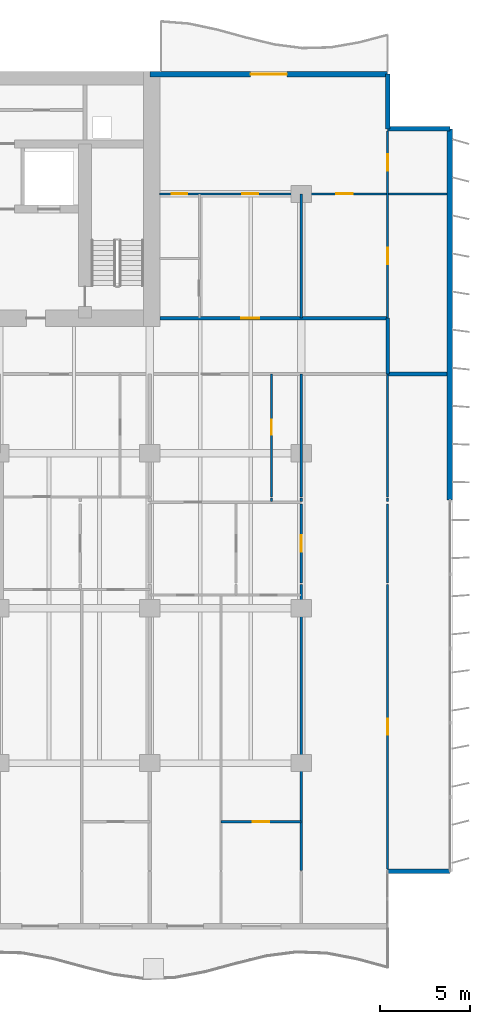
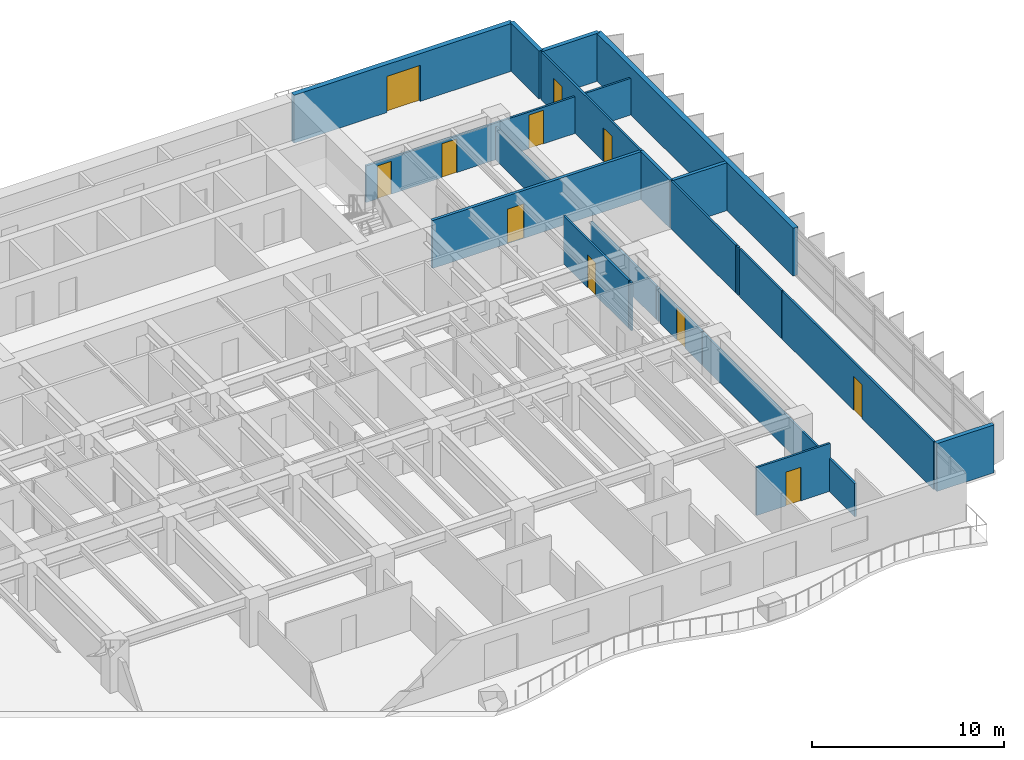
# One storey, part 12 of 17: 22 walls, 11 doors, 11 openings.
"""IFC4 building model written with IfcOpenShell, lengths in metres."""

from ifc_helpers import new_model, si_unit, direction, frame, frame_2d, origin, place, context, subcontext, project, spatial, rectangle, extrude, material, layer, layer_set, type_object, element, fill, save


model = new_model("IFC4")

# Units and contexts
model_context = context("Model", 3, precision=1e-05, world=origin(), true_north=direction((0.0, 1.0)))
body_context = subcontext(model_context, "Body", "Model", "MODEL_VIEW")
ifc_project = project(units=[si_unit("LENGTHUNIT", "METRE"), si_unit("AREAUNIT", "SQUARE_METRE"), si_unit("VOLUMEUNIT", "CUBIC_METRE"), si_unit("PLANEANGLEUNIT", "RADIAN"), si_unit("MASSUNIT", "GRAM", prefix="KILO")], contexts=[model_context])

# Site, building, storey
site_placement = place(None, origin())
site = spatial("IfcSite", under=ifc_project, at=site_placement, CompositionType="ELEMENT")
building_placement = place(site_placement, origin())
building = spatial("IfcBuilding", under=site, at=building_placement, Name="Caelmar Bay Residences", CompositionType="ELEMENT")
storey_placement = place(building_placement, frame((0.0, 0.0, 63.0)))
storey = spatial("IfcBuildingStorey", under=building, at=storey_placement, Name="L16", CompositionType="ELEMENT", Elevation=63.0)

# Wall
ifc_material_1 = material(Name="Double-stud acoustic fire-rated gypsum partition 180 mm")
ifc_layer_1 = layer(ifc_material_1, 0.179931640625)
ifc_layer_set_1 = layer_set([ifc_layer_1], Name="Double-stud acoustic fire-rated gypsum partition 180 mm")
wall_type_1 = type_object("IfcWallType", Name="W-COR-200", PredefinedType="PARTITIONING", material=ifc_layer_set_1)
wall_1_placement = place(storey_placement, frame((72.699951171875, 33.804931640625, 0.0), z_axis=(0.0, 0.0, 1.0), x_axis=(0.0, 1.0, 0.0)))
element("IfcWall", 1, at=wall_1_placement, inside=storey, type_object=wall_type_1, Name="L16 Partition Wall V099", PredefinedType="PARTITIONING", context=body_context, shape_type="SweptSolid", body=[
    extrude(rectangle(XDim=3.094970703125, YDim=0.179931640625, at=frame_2d((1.54736328125, 0.0))), origin(), (0.0, 0.0, 1.0), 3.050048828125),
])

# Wall, opening, door
wall_2_placement = place(storey_placement, frame((60.054931640625, 36.89990234375, 0.0), z_axis=(0.0, 0.0, 1.0), x_axis=(1.0, 0.0, 0.0)))
wall_2 = element("IfcWall", 2, at=wall_2_placement, inside=storey, type_object=wall_type_1, Name="L16 Partition Wall H125", PredefinedType="PARTITIONING", context=body_context, shape_type="SweptSolid", body=[
    extrude(rectangle(XDim=12.64501953125, YDim=0.179931640625, at=frame_2d((6.322509765625, 0.0))), origin(), (0.0, 0.0, 1.0), 3.050048828125),
])
opening_1_placement = place(wall_2_placement, frame((4.52001953125, 0.0, 0.0)))
opening_1 = element("IfcOpeningElement", 3, at=opening_1_placement, cuts=wall_2, Name="Opening D-L16-176", PredefinedType="OPENING", context=body_context, shape_type="SweptSolid", body=[
    extrude(rectangle(XDim=1.0, YDim=2.199951171875, at=frame_2d((0.5, 1.10009765625))), frame((0.0, 0.099853515625, 0.0), z_axis=(0.0, -1.0, 0.0), x_axis=(1.0, 0.0, 0.0)), (0.0, 0.0, 1.0), 0.199951171875),
])
ifc_material_2 = material(Name="Fire-rated steel and walnut architectural door assembly", Category="steel")
ifc_layer_2 = layer(ifc_material_2, 0.050048828125)
ifc_layer_set_2 = layer_set([ifc_layer_2], Name="Fire-rated steel and walnut architectural door assembly")
door_type_1 = type_object("IfcDoorType", Name="D-UNIT-1000", OperationType="NOTDEFINED", PredefinedType="DOOR", material=ifc_layer_set_2)
door_1_placement = place(opening_1_placement, origin())
door_1 = element("IfcDoor", 4, at=door_1_placement, inside=storey, type_object=door_type_1, Name="L16 Residence EA Kitchen Door", OperationType="SINGLE_SWING_LEFT", OverallHeight=2.199951171875, OverallWidth=1.0, PredefinedType="DOOR", context=body_context, shape_type="SweptSolid", body=[
    extrude(rectangle(XDim=1.0, YDim=2.199951171875, at=frame_2d((0.5, 1.10009765625))), frame((0.0, 0.02490234375, 0.0), z_axis=(0.0, -1.0, 0.0), x_axis=(1.0, 0.0, 0.0)), (0.0, 0.0, 1.0), 0.050048828125),
])
fill(opening_1, door_1)

# Walls
ifc_material_3 = material(Name="Precast concrete f'c 40 MPa (6,000 psi)", Category="concrete")
ifc_layer_3 = layer(ifc_material_3, 0.25)
ifc_layer_set_3 = layer_set([ifc_layer_3], Name="Precast concrete f'c 40 MPa (6,000 psi)")
wall_type_2 = type_object("IfcWallType", Name="W-EXT-250", PredefinedType="ELEMENTEDWALL", material=ifc_layer_set_3)
wall_3_placement = place(storey_placement, frame((72.699951171875, 6.199951171875, 0.0), z_axis=(0.0, 0.0, 1.0), x_axis=(1.0, 0.0, 0.0)))
element("IfcWall", 5, at=wall_3_placement, inside=storey, type_object=wall_type_2, Name="L16 SE Notch Return Wall", PredefinedType="ELEMENTEDWALL", context=body_context, shape_type="SweptSolid", body=[
    extrude(rectangle(XDim=3.449951171875, YDim=0.25, at=frame_2d((1.72509765625, 0.0))), origin(), (0.0, 0.0, 1.0), 3.050048828125),
])
wall_4_placement = place(storey_placement, frame((72.699951171875, 50.449951171875, 0.0), z_axis=(0.0, 0.0, 1.0), x_axis=(0.0, -1.0, 0.0)))
element("IfcWall", 6, at=wall_4_placement, inside=storey, type_object=wall_type_2, Name="L16 NNE-V Notch Wall", PredefinedType="ELEMENTEDWALL", context=body_context, shape_type="SweptSolid", body=[
    extrude(rectangle(XDim=3.050048828125, YDim=0.25, at=frame_2d((1.52490234375, 0.0))), origin(), (0.0, 0.0, 1.0), 3.050048828125),
])
wall_5_placement = place(storey_placement, frame((72.699951171875, 47.39990234375, 0.0), z_axis=(0.0, 0.0, 1.0), x_axis=(1.0, 0.0, 0.0)))
element("IfcWall", 7, at=wall_5_placement, inside=storey, type_object=wall_type_2, Name="L16 NNE-H Notch Wall", PredefinedType="ELEMENTEDWALL", context=body_context, shape_type="SweptSolid", body=[
    extrude(rectangle(XDim=3.449951171875, YDim=0.25, at=frame_2d((1.72509765625, 0.0))), origin(), (0.0, 0.0, 1.0), 3.050048828125),
])
ifc_layer_4 = layer(ifc_material_3, 0.300048828125)
ifc_layer_set_4 = layer_set([ifc_layer_4], Name="Precast concrete f'c 40 MPa (6,000 psi)")
wall_type_3 = type_object("IfcWallType", Name="W-EXT-300", PredefinedType="STANDARD", material=ifc_layer_set_4)
wall_6_placement = place(storey_placement, frame((76.14990234375, 47.39990234375, 0.0), z_axis=(0.0, 0.0, 1.0), x_axis=(0.0, -1.0, 0.0)))
element("IfcWall", 8, at=wall_6_placement, inside=storey, type_object=wall_type_3, Name="L16 East Rear Exterior Wall", PredefinedType="STANDARD", context=body_context, shape_type="SweptSolid", body=[
    extrude(rectangle(XDim=20.599853515625, YDim=0.300048828125, at=frame_2d((10.2998046875, 0.0))), origin(), (0.0, 0.0, 1.0), 3.050048828125),
])

# Wall, opening, door
wall_7_placement = place(storey_placement, frame((59.5, 50.449951171875, 0.0), z_axis=(0.0, 0.0, 1.0), x_axis=(1.0, 0.0, 0.0)))
wall_7 = element("IfcWall", 9, at=wall_7_placement, inside=storey, type_object=wall_type_3, Name="L16 North-East Wing Exterior Wall", PredefinedType="STANDARD", context=body_context, shape_type="SweptSolid", body=[
    extrude(rectangle(XDim=13.199951171875, YDim=0.300048828125, at=frame_2d((6.60009765625, 0.0))), origin(), (0.0, 0.0, 1.0), 3.050048828125),
])
opening_2_placement = place(wall_7_placement, frame((5.60009765625, 0.0, 0.0)))
opening_2 = element("IfcOpeningElement", 10, at=opening_2_placement, cuts=wall_7, Name="Opening L16-BDNE", PredefinedType="OPENING", context=body_context, shape_type="SweptSolid", body=[
    extrude(rectangle(XDim=2.0, YDim=2.300048828125, at=frame_2d((1.0, 1.14990234375))), frame((0.0, 0.159912109375, 0.0), z_axis=(0.0, -1.0, 0.0), x_axis=(1.0, 0.0, 0.0)), (0.0, 0.0, 1.0), 0.320068359375),
])
ifc_material_4 = material(Name="Anodised bronze thermally broken sliding glass door", Category="glass")
ifc_layer_5 = layer(ifc_material_4, 0.050048828125)
ifc_layer_set_5 = layer_set([ifc_layer_5], Name="Anodised bronze thermally broken sliding glass door")
door_type_2 = type_object("IfcDoorType", Name="D-BAL-2000", OperationType="DOUBLE_DOOR_SLIDING", PredefinedType="DOOR", material=ifc_layer_set_5)
door_2_placement = place(opening_2_placement, origin())
door_2 = element("IfcDoor", 11, at=door_2_placement, inside=storey, type_object=door_type_2, Name="L16 North-East Balcony Door", OperationType="DOUBLE_DOOR_SLIDING", OverallHeight=2.300048828125, OverallWidth=2.0, PredefinedType="DOOR", context=body_context, shape_type="SweptSolid", body=[
    extrude(rectangle(XDim=2.0, YDim=2.300048828125, at=frame_2d((1.0, 1.14990234375))), frame((0.0, 0.02490234375, 0.0), z_axis=(0.0, -1.0, 0.0), x_axis=(1.0, 0.0, 0.0)), (0.0, 0.0, 1.0), 0.050048828125),
])
fill(opening_2, door_2)

# Wall
ifc_material_5 = material(Name="Acoustic metal-stud gypsum partition 120 mm")
ifc_layer_6 = layer(ifc_material_5, 0.1201171875)
ifc_layer_set_6 = layer_set([ifc_layer_6], Name="Acoustic metal-stud gypsum partition 120 mm")
wall_type_4 = type_object("IfcWallType", Name="W-PRT-120", PredefinedType="PARTITIONING", material=ifc_layer_set_6)
wall_8_placement = place(storey_placement, frame((66.25, 26.719970703125, 0.0), z_axis=(0.0, 0.0, 1.0), x_axis=(0.0, 1.0, 0.0)))
element("IfcWall", 12, at=wall_8_placement, inside=storey, type_object=wall_type_4, Name="L16 Partition Wall V087", PredefinedType="PARTITIONING", context=body_context, shape_type="SweptSolid", body=[
    extrude(rectangle(XDim=0.199951171875, YDim=0.1201171875, at=frame_2d((0.10009765625, 0.0))), origin(), (0.0, 0.0, 1.0), 3.050048828125),
])

# Wall, opening, door
wall_9_placement = place(storey_placement, frame((66.25, 26.97998046875, 0.0), z_axis=(0.0, 0.0, 1.0), x_axis=(0.0, 1.0, 0.0)))
wall_9 = element("IfcWall", 13, at=wall_9_placement, inside=storey, type_object=wall_type_4, Name="L16 Partition Wall V088", PredefinedType="PARTITIONING", context=body_context, shape_type="SweptSolid", body=[
    extrude(rectangle(XDim=6.820068359375, YDim=0.1201171875, at=frame_2d((3.41015625, 0.0))), origin(), (0.0, 0.0, 1.0), 3.050048828125),
])
opening_3_placement = place(wall_9_placement, frame((3.43505859375, 0.0, 0.0)))
opening_3 = element("IfcOpeningElement", 14, at=opening_3_placement, cuts=wall_9, Name="Opening D-L16-159", PredefinedType="OPENING", context=body_context, shape_type="SweptSolid", body=[
    extrude(rectangle(XDim=0.85009765625, YDim=2.10009765625, at=frame_2d((0.425048828125, 1.050048828125))), frame((0.0, 0.070068359375, 0.0), z_axis=(0.0, -1.0, 0.0), x_axis=(1.0, 0.0, 0.0)), (0.0, 0.0, 1.0), 0.14013671875),
])
ifc_material_6 = material(Name="Solid walnut timber interior door leaf and frame", Category="wood")
ifc_layer_7 = layer(ifc_material_6, 0.050048828125)
ifc_layer_set_7 = layer_set([ifc_layer_7], Name="Solid walnut timber interior door leaf and frame")
door_type_3 = type_object("IfcDoorType", Name="D-BATH-850", OperationType="NOTDEFINED", PredefinedType="DOOR", material=ifc_layer_set_7)
door_3_placement = place(opening_3_placement, origin())
door_3 = element("IfcDoor", 15, at=door_3_placement, inside=storey, type_object=door_type_3, Name="L16 Residence 05 Bathroom Door", OperationType="SINGLE_SWING_RIGHT", OverallHeight=2.10009765625, OverallWidth=0.85009765625, PredefinedType="DOOR", context=body_context, shape_type="SweptSolid", body=[
    extrude(rectangle(XDim=0.85009765625, YDim=2.10009765625, at=frame_2d((0.425048828125, 1.050048828125))), frame((0.0, 0.02490234375, 0.0), z_axis=(0.0, -1.0, 0.0), x_axis=(1.0, 0.0, 0.0)), (0.0, 0.0, 1.0), 0.050048828125),
])
fill(opening_3, door_3)

# Wall
wall_10_placement = place(storey_placement, frame((67.89990234375, 6.239990234375, 0.0), z_axis=(0.0, 0.0, 1.0), x_axis=(0.0, 1.0, 0.0)))
element("IfcWall", 16, at=wall_10_placement, inside=storey, type_object=wall_type_4, Name="L16 Partition Wall V090", PredefinedType="PARTITIONING", context=body_context, shape_type="SweptSolid", body=[
    extrude(rectangle(XDim=15.880126953125, YDim=0.1201171875, at=frame_2d((7.93994140625, 0.0))), origin(), (0.0, 0.0, 1.0), 2.110107421875),
])

# Wall, opening, door
wall_11_placement = place(storey_placement, frame((67.89990234375, 22.199951171875, 0.0), z_axis=(0.0, 0.0, 1.0), x_axis=(0.0, 1.0, 0.0)))
wall_11 = element("IfcWall", 17, at=wall_11_placement, inside=storey, type_object=wall_type_4, Name="L16 Partition Wall V091", PredefinedType="PARTITIONING", context=body_context, shape_type="SweptSolid", body=[
    extrude(rectangle(XDim=4.380126953125, YDim=0.1201171875, at=frame_2d((2.18994140625, 0.0))), origin(), (0.0, 0.0, 1.0), 2.110107421875),
])
opening_4_placement = place(wall_11_placement, frame((1.739990234375, 0.0, 0.0)))
opening_4 = element("IfcOpeningElement", 18, at=opening_4_placement, cuts=wall_11, Name="Opening D-L16-165", PredefinedType="OPENING", context=body_context, shape_type="SweptSolid", body=[
    extrude(rectangle(XDim=0.89990234375, YDim=2.06005859375, at=frame_2d((0.449951171875, 1.030029296875))), frame((0.0, 0.070068359375, 0.0), z_axis=(0.0, -1.0, 0.0), x_axis=(1.0, 0.0, 0.0)), (0.0, 0.0, 1.0), 0.14013671875),
])
ifc_layer_8 = layer(ifc_material_6, 0.050048828125)
ifc_layer_set_8 = layer_set([ifc_layer_8], Name="Solid walnut timber interior door leaf and frame")
door_type_4 = type_object("IfcDoorType", Name="D-ROOM-900", OperationType="NOTDEFINED", PredefinedType="DOOR", material=ifc_layer_set_8)
door_4_placement = place(opening_4_placement, origin())
door_4 = element("IfcDoor", 19, at=door_4_placement, inside=storey, type_object=door_type_4, Name="L16 Residence 05 East Apartment Hall Door", OperationType="SINGLE_SWING_RIGHT", OverallHeight=2.06005859375, OverallWidth=0.89990234375, PredefinedType="DOOR", context=body_context, shape_type="SweptSolid", body=[
    extrude(rectangle(XDim=0.89990234375, YDim=2.06005859375, at=frame_2d((0.449951171875, 1.030029296875))), frame((0.0, 0.02490234375, 0.0), z_axis=(0.0, -1.0, 0.0), x_axis=(1.0, 0.0, 0.0)), (0.0, 0.0, 1.0), 0.050048828125),
])
fill(opening_4, door_4)

# Walls
wall_12_placement = place(storey_placement, frame((67.89990234375, 26.719970703125, 0.0), z_axis=(0.0, 0.0, 1.0), x_axis=(0.0, 1.0, 0.0)))
element("IfcWall", 20, at=wall_12_placement, inside=storey, type_object=wall_type_4, Name="L16 Partition Wall V092", PredefinedType="PARTITIONING", context=body_context, shape_type="SweptSolid", body=[
    extrude(rectangle(XDim=0.199951171875, YDim=0.1201171875, at=frame_2d((0.10009765625, 0.0))), origin(), (0.0, 0.0, 1.0), 2.110107421875),
])
wall_13_placement = place(storey_placement, frame((67.89990234375, 26.97998046875, 0.0), z_axis=(0.0, 0.0, 1.0), x_axis=(0.0, 1.0, 0.0)))
element("IfcWall", 21, at=wall_13_placement, inside=storey, type_object=wall_type_4, Name="L16 Partition Wall V093", PredefinedType="PARTITIONING", context=body_context, shape_type="SweptSolid", body=[
    extrude(rectangle(XDim=6.820068359375, YDim=0.1201171875, at=frame_2d((3.41015625, 0.0))), origin(), (0.0, 0.0, 1.0), 2.110107421875),
])
wall_14_placement = place(storey_placement, frame((67.89990234375, 36.89990234375, 0.0), z_axis=(0.0, 0.0, 1.0), x_axis=(0.0, 1.0, 0.0)))
element("IfcWall", 22, at=wall_14_placement, inside=storey, type_object=wall_type_4, Name="L16 Partition Wall V094", PredefinedType="PARTITIONING", context=body_context, shape_type="SweptSolid", body=[
    extrude(rectangle(XDim=6.900146484375, YDim=0.1201171875, at=frame_2d((3.4501953125, 0.0))), origin(), (0.0, 0.0, 1.0), 2.110107421875),
])

# Wall, opening, door
wall_15_placement = place(storey_placement, frame((72.699951171875, 6.320068359375, 0.0), z_axis=(0.0, 0.0, 1.0), x_axis=(0.0, 1.0, 0.0)))
wall_15 = element("IfcWall", 23, at=wall_15_placement, inside=storey, type_object=wall_type_4, Name="L16 Partition Wall V095", PredefinedType="PARTITIONING", context=body_context, shape_type="SweptSolid", body=[
    extrude(rectangle(XDim=15.800048828125, YDim=0.1201171875, at=frame_2d((7.89990234375, 0.0))), origin(), (0.0, 0.0, 1.0), 3.050048828125),
])
opening_5_placement = place(wall_15_placement, frame((7.449951171875, 0.0, 0.0)))
opening_5 = element("IfcOpeningElement", 24, at=opening_5_placement, cuts=wall_15, Name="Opening D-L16-167", PredefinedType="OPENING", context=body_context, shape_type="SweptSolid", body=[
    extrude(rectangle(XDim=0.89990234375, YDim=2.14990234375, at=frame_2d((0.449951171875, 1.074951171875))), frame((0.0, 0.070068359375, 0.0), z_axis=(0.0, -1.0, 0.0), x_axis=(1.0, 0.0, 0.0)), (0.0, 0.0, 1.0), 0.14013671875),
])
door_5_placement = place(opening_5_placement, origin())
door_5 = element("IfcDoor", 25, at=door_5_placement, inside=storey, type_object=door_type_4, Name="L16 Residence 05 Penthouse East Salon Door", OperationType="SINGLE_SWING_RIGHT", OverallHeight=2.14990234375, OverallWidth=0.89990234375, PredefinedType="DOOR", context=body_context, shape_type="SweptSolid", body=[
    extrude(rectangle(XDim=0.89990234375, YDim=2.14990234375, at=frame_2d((0.449951171875, 1.074951171875))), frame((0.0, 0.02490234375, 0.0), z_axis=(0.0, -1.0, 0.0), x_axis=(1.0, 0.0, 0.0)), (0.0, 0.0, 1.0), 0.050048828125),
])
fill(opening_5, door_5)

# Walls
wall_16_placement = place(storey_placement, frame((72.699951171875, 22.199951171875, 0.0), z_axis=(0.0, 0.0, 1.0), x_axis=(0.0, 1.0, 0.0)))
element("IfcWall", 26, at=wall_16_placement, inside=storey, type_object=wall_type_4, Name="L16 Partition Wall V096", PredefinedType="PARTITIONING", context=body_context, shape_type="SweptSolid", body=[
    extrude(rectangle(XDim=4.380126953125, YDim=0.1201171875, at=frame_2d((2.18994140625, 0.0))), origin(), (0.0, 0.0, 1.0), 3.050048828125),
])
wall_17_placement = place(storey_placement, frame((72.699951171875, 26.719970703125, 0.0), z_axis=(0.0, 0.0, 1.0), x_axis=(0.0, 1.0, 0.0)))
element("IfcWall", 27, at=wall_17_placement, inside=storey, type_object=wall_type_4, Name="L16 Partition Wall V097", PredefinedType="PARTITIONING", context=body_context, shape_type="SweptSolid", body=[
    extrude(rectangle(XDim=0.199951171875, YDim=0.1201171875, at=frame_2d((0.10009765625, 0.0))), origin(), (0.0, 0.0, 1.0), 3.050048828125),
])
wall_18_placement = place(storey_placement, frame((72.699951171875, 26.97998046875, 0.0), z_axis=(0.0, 0.0, 1.0), x_axis=(0.0, 1.0, 0.0)))
element("IfcWall", 28, at=wall_18_placement, inside=storey, type_object=wall_type_4, Name="L16 Partition Wall V098", PredefinedType="PARTITIONING", context=body_context, shape_type="SweptSolid", body=[
    extrude(rectangle(XDim=6.820068359375, YDim=0.1201171875, at=frame_2d((3.41015625, 0.0))), origin(), (0.0, 0.0, 1.0), 3.050048828125),
])

# Wall, openings, doors
wall_19_placement = place(storey_placement, frame((72.699951171875, 36.905029296875, 0.0), z_axis=(0.0, 0.0, 1.0), x_axis=(0.0, 1.0, 0.0)))
wall_19 = element("IfcWall", 29, at=wall_19_placement, inside=storey, type_object=wall_type_4, Name="L16 Partition Wall V100", PredefinedType="PARTITIONING", context=body_context, shape_type="SweptSolid", body=[
    extrude(rectangle(XDim=10.375, YDim=0.1201171875, at=frame_2d((5.1875, 0.0))), origin(), (0.0, 0.0, 1.0), 3.050048828125),
])
opening_6_placement = place(wall_19_placement, frame((2.99755859375, 0.0, 0.0)))
opening_6 = element("IfcOpeningElement", 30, at=opening_6_placement, cuts=wall_19, Name="Opening D-L16-180", PredefinedType="OPENING", context=body_context, shape_type="SweptSolid", body=[
    extrude(rectangle(XDim=0.89990234375, YDim=2.14990234375, at=frame_2d((0.449951171875, 1.074951171875))), frame((0.0, 0.070068359375, 0.0), z_axis=(0.0, -1.0, 0.0), x_axis=(1.0, 0.0, 0.0)), (0.0, 0.0, 1.0), 0.14013671875),
])
opening_7_placement = place(wall_19_placement, frame((8.18505859375, 0.0, 0.0)))
opening_7 = element("IfcOpeningElement", 31, at=opening_7_placement, cuts=wall_19, Name="Opening D-L16-181", PredefinedType="OPENING", context=body_context, shape_type="SweptSolid", body=[
    extrude(rectangle(XDim=0.89990234375, YDim=2.14990234375, at=frame_2d((0.449951171875, 1.074951171875))), frame((0.0, 0.070068359375, 0.0), z_axis=(0.0, -1.0, 0.0), x_axis=(1.0, 0.0, 0.0)), (0.0, 0.0, 1.0), 0.14013671875),
])
door_6_placement = place(opening_6_placement, origin())
door_6 = element("IfcDoor", 32, at=door_6_placement, inside=storey, type_object=door_type_4, Name="L16 Residence EA Sun Study Door", OperationType="SINGLE_SWING_LEFT", OverallHeight=2.14990234375, OverallWidth=0.89990234375, PredefinedType="DOOR", context=body_context, shape_type="SweptSolid", body=[
    extrude(rectangle(XDim=0.89990234375, YDim=2.14990234375, at=frame_2d((0.449951171875, 1.074951171875))), frame((0.0, 0.02490234375, 0.0), z_axis=(0.0, -1.0, 0.0), x_axis=(1.0, 0.0, 0.0)), (0.0, 0.0, 1.0), 0.050048828125),
])
fill(opening_6, door_6)
door_7_placement = place(opening_7_placement, origin())
door_7 = element("IfcDoor", 33, at=door_7_placement, inside=storey, type_object=door_type_4, Name="L16 Residence EA North Sitting Alcove Door", OperationType="SINGLE_SWING_RIGHT", OverallHeight=2.14990234375, OverallWidth=0.89990234375, PredefinedType="DOOR", context=body_context, shape_type="SweptSolid", body=[
    extrude(rectangle(XDim=0.89990234375, YDim=2.14990234375, at=frame_2d((0.449951171875, 1.074951171875))), frame((0.0, 0.02490234375, 0.0), z_axis=(0.0, -1.0, 0.0), x_axis=(1.0, 0.0, 0.0)), (0.0, 0.0, 1.0), 0.050048828125),
])
fill(opening_7, door_7)

# Wall, opening, door
wall_20_placement = place(storey_placement, frame((63.447998046875, 8.949951171875, 0.0), z_axis=(0.0, 0.0, 1.0), x_axis=(1.0, 0.0, 0.0)))
wall_20 = element("IfcWall", 34, at=wall_20_placement, inside=storey, type_object=wall_type_4, Name="L16 Partition Wall H105", PredefinedType="PARTITIONING", context=body_context, shape_type="SweptSolid", body=[
    extrude(rectangle(XDim=4.451904296875, YDim=0.1201171875, at=frame_2d((2.22607421875, 0.0))), origin(), (0.0, 0.0, 1.0), 3.050048828125),
])
opening_8_placement = place(wall_20_placement, frame((1.77587890625, 0.0, 0.0)))
opening_8 = element("IfcOpeningElement", 35, at=opening_8_placement, cuts=wall_20, Name="Opening D-L16-164", PredefinedType="OPENING", context=body_context, shape_type="SweptSolid", body=[
    extrude(rectangle(XDim=0.89990234375, YDim=2.14990234375, at=frame_2d((0.449951171875, 1.074951171875))), frame((0.0, 0.070068359375, 0.0), z_axis=(0.0, -1.0, 0.0), x_axis=(1.0, 0.0, 0.0)), (0.0, 0.0, 1.0), 0.14013671875),
])
door_8_placement = place(opening_8_placement, origin())
door_8 = element("IfcDoor", 36, at=door_8_placement, inside=storey, type_object=door_type_4, Name="L16 Residence 05 Primary Bedroom Door", OperationType="SINGLE_SWING_LEFT", OverallHeight=2.14990234375, OverallWidth=0.89990234375, PredefinedType="DOOR", context=body_context, shape_type="SweptSolid", body=[
    extrude(rectangle(XDim=0.89990234375, YDim=2.14990234375, at=frame_2d((0.449951171875, 1.074951171875))), frame((0.0, 0.02490234375, 0.0), z_axis=(0.0, -1.0, 0.0), x_axis=(1.0, 0.0, 0.0)), (0.0, 0.0, 1.0), 0.050048828125),
])
fill(opening_8, door_8)

# Wall, openings, doors
wall_21_placement = place(storey_placement, frame((60.044921875, 43.800048828125, 0.0), z_axis=(0.0, 0.0, 1.0), x_axis=(1.0, 0.0, 0.0)))
wall_21 = element("IfcWall", 37, at=wall_21_placement, inside=storey, type_object=wall_type_4, Name="L16 Partition Wall H129", PredefinedType="PARTITIONING", context=body_context, shape_type="SweptSolid", body=[
    extrude(rectangle(XDim=15.9599609375, YDim=0.1201171875, at=frame_2d((7.97998046875, 0.0))), origin(), (0.0, 0.0, 1.0), 2.339111328125),
])
opening_9_placement = place(wall_21_placement, frame((9.804931640625, 0.0, 0.0)))
opening_9 = element("IfcOpeningElement", 38, at=opening_9_placement, cuts=wall_21, Name="Opening D-L16-175", PredefinedType="OPENING", context=body_context, shape_type="SweptSolid", body=[
    extrude(rectangle(XDim=0.89990234375, YDim=2.14990234375, at=frame_2d((0.449951171875, 1.074951171875))), frame((0.0, 0.070068359375, 0.0), z_axis=(0.0, -1.0, 0.0), x_axis=(1.0, 0.0, 0.0)), (0.0, 0.0, 1.0), 0.14013671875),
])
opening_10_placement = place(wall_21_placement, frame((4.580078125, 0.0, 0.0)))
opening_10 = element("IfcOpeningElement", 39, at=opening_10_placement, cuts=wall_21, Name="Opening D-L16-177", PredefinedType="OPENING", context=body_context, shape_type="SweptSolid", body=[
    extrude(rectangle(XDim=0.89990234375, YDim=2.14990234375, at=frame_2d((0.449951171875, 1.074951171875))), frame((0.0, 0.070068359375, 0.0), z_axis=(0.0, -1.0, 0.0), x_axis=(1.0, 0.0, 0.0)), (0.0, 0.0, 1.0), 0.14013671875),
])
opening_11_placement = place(wall_21_placement, frame((0.677490234375, 0.0, 0.0)))
opening_11 = element("IfcOpeningElement", 40, at=opening_11_placement, cuts=wall_21, Name="Opening D-L16-179", PredefinedType="OPENING", context=body_context, shape_type="SweptSolid", body=[
    extrude(rectangle(XDim=0.85009765625, YDim=2.10009765625, at=frame_2d((0.425048828125, 1.050048828125))), frame((0.0, 0.070068359375, 0.0), z_axis=(0.0, -1.0, 0.0), x_axis=(1.0, 0.0, 0.0)), (0.0, 0.0, 1.0), 0.14013671875),
])
door_9_placement = place(opening_11_placement, origin())
door_9 = element("IfcDoor", 41, at=door_9_placement, inside=storey, type_object=door_type_3, Name="L16 Residence EA Bathroom Door", OperationType="SINGLE_SWING_RIGHT", OverallHeight=2.10009765625, OverallWidth=0.85009765625, PredefinedType="DOOR", context=body_context, shape_type="SweptSolid", body=[
    extrude(rectangle(XDim=0.85009765625, YDim=2.10009765625, at=frame_2d((0.425048828125, 1.050048828125))), frame((0.0, 0.02490234375, 0.0), z_axis=(0.0, -1.0, 0.0), x_axis=(1.0, 0.0, 0.0)), (0.0, 0.0, 1.0), 0.050048828125),
])
fill(opening_11, door_9)
door_10_placement = place(opening_9_placement, origin())
door_10 = element("IfcDoor", 42, at=door_10_placement, inside=storey, type_object=door_type_4, Name="L16 Residence EA Study Door", OperationType="SINGLE_SWING_RIGHT", OverallHeight=2.14990234375, OverallWidth=0.89990234375, PredefinedType="DOOR", context=body_context, shape_type="SweptSolid", body=[
    extrude(rectangle(XDim=0.89990234375, YDim=2.14990234375, at=frame_2d((0.449951171875, 1.074951171875))), frame((0.0, 0.02490234375, 0.0), z_axis=(0.0, -1.0, 0.0), x_axis=(1.0, 0.0, 0.0)), (0.0, 0.0, 1.0), 0.050048828125),
])
fill(opening_9, door_10)
door_11_placement = place(opening_10_placement, origin())
door_11 = element("IfcDoor", 43, at=door_11_placement, inside=storey, type_object=door_type_4, Name="L16 Residence EA Studio Living and Sleeping Room Door", OperationType="SINGLE_SWING_RIGHT", OverallHeight=2.14990234375, OverallWidth=0.89990234375, PredefinedType="DOOR", context=body_context, shape_type="SweptSolid", body=[
    extrude(rectangle(XDim=0.89990234375, YDim=2.14990234375, at=frame_2d((0.449951171875, 1.074951171875))), frame((0.0, 0.02490234375, 0.0), z_axis=(0.0, -1.0, 0.0), x_axis=(1.0, 0.0, 0.0)), (0.0, 0.0, 1.0), 0.050048828125),
])
fill(opening_10, door_11)

# Wall
ifc_material_7 = material(Name="Acoustic twin-stud fire-rated inter-tenancy partition 200 mm")
ifc_layer_9 = layer(ifc_material_7, 0.199951171875)
ifc_layer_set_9 = layer_set([ifc_layer_9], Name="Acoustic twin-stud fire-rated inter-tenancy partition 200 mm")
wall_type_5 = type_object("IfcWallType", Name="W-PTY-200", PredefinedType="PARTITIONING", material=ifc_layer_set_9)
wall_22_placement = place(storey_placement, frame((72.705078125, 33.800048828125, 0.0), z_axis=(0.0, 0.0, 1.0), x_axis=(1.0, 0.0, 0.0)))
element("IfcWall", 44, at=wall_22_placement, inside=storey, type_object=wall_type_5, Name="L16 Partition Wall H123", PredefinedType="PARTITIONING", context=body_context, shape_type="SweptSolid", body=[
    extrude(rectangle(XDim=3.2998046875, YDim=0.199951171875, at=frame_2d((1.64990234375, 0.0))), origin(), (0.0, 0.0, 1.0), 3.050048828125),
])

save(model, "model.ifc")
